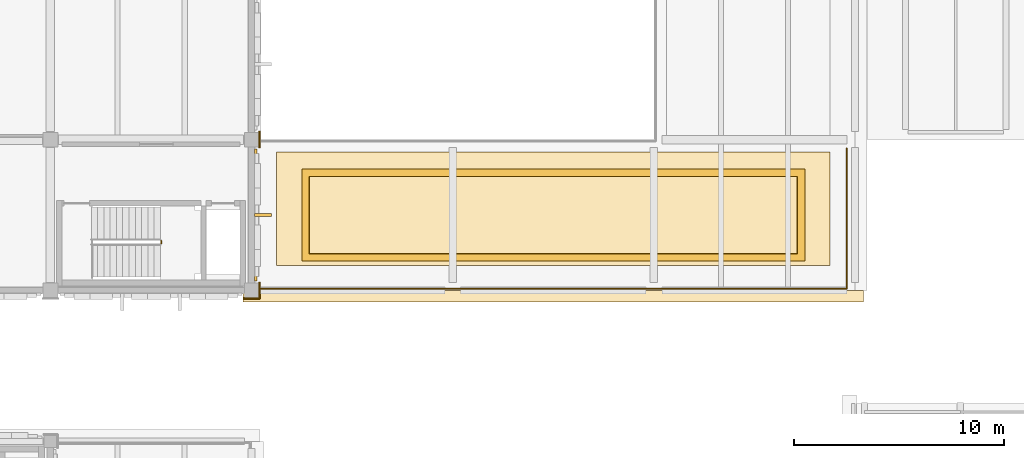
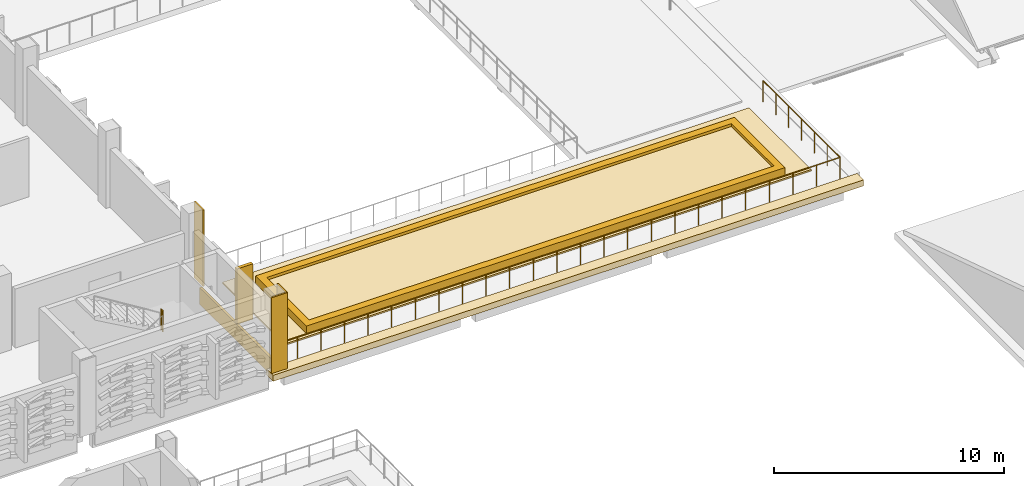
# One storey, part 127 of 134: 9 coverings, 2 railings.
"""IFC4 building model written with IfcOpenShell, lengths in metres."""

import ifcopenshell
import ifcopenshell.guid

model = None  # the IFC model being written
_history = None  # IfcOwnerHistory: only IFC2X3 demands one
_inside = {}  # id of a spatial element -> (the spatial element, [elements in it])
_under = {}  # id of a project, library or spatial element -> (it, [spatial elements below it])
_declared = {}  # id of a project -> (the project, [libraries it declares])
_typed = {}  # id of a type object -> (the type object, [elements of that type])
_made_of = {}  # id of a material, layer set ... -> (it, [elements and type objects made of it])


def new_model(schema):
    """Start an empty IFC model of exactly this schema.

    Asked for "IFC4X3", IfcOpenShell would pick the latest addendum, in which some entities
    have other attributes; the version numbers below select the first issue.
    IFC2X3 requires an IfcOwnerHistory on every rooted entity: one is made here for all.
    """
    global model, _history
    if schema == "IFC4X3":
        model = ifcopenshell.file(schema_version=(4, 3, 0, 0))
    else:
        model = ifcopenshell.file(schema=schema)
    _inside.clear()
    _under.clear()
    _declared.clear()
    _typed.clear()
    _made_of.clear()
    _history = None
    if model.schema == "IFC2X3":
        org = make("IfcOrganization", Name="unknown")
        user = make(
            "IfcPersonAndOrganization",
            ThePerson=make("IfcPerson", FamilyName="unknown"),
            TheOrganization=org,
        )
        app = make(
            "IfcApplication",
            ApplicationDeveloper=org,
            Version="unknown",
            ApplicationFullName="unknown",
            ApplicationIdentifier="unknown",
        )
        _history = make(
            "IfcOwnerHistory",
            OwningUser=user,
            OwningApplication=app,
            ChangeAction="ADDED",
            CreationDate=0,
        )
    return model


def make(cls, **values):
    """One entity of the class cls with the attributes given. An attribute that is None is left unset."""
    return model.create_entity(
        cls, **{name: value for name, value in values.items() if value is not None}
    )


def rooted(cls, **values):
    """An entity with a GlobalId (a new one), such as an element, a storey or a relation."""
    return make(cls, GlobalId=ifcopenshell.guid.new(), OwnerHistory=_history, **values)


def si_unit(unit_type, name, prefix=None):
    """IfcSIUnit, for example si_unit("LENGTHUNIT", "METRE", prefix="MILLI")."""
    return make("IfcSIUnit", UnitType=unit_type, Prefix=prefix, Name=name)


def assignment(units):
    """IfcUnitAssignment: the units of a project."""
    return None if units is None else make("IfcUnitAssignment", Units=units)


def point(xyz):
    """IfcCartesianPoint."""
    return None if xyz is None else make("IfcCartesianPoint", Coordinates=xyz)


def direction(xyz):
    """IfcDirection."""
    return None if xyz is None else make("IfcDirection", DirectionRatios=xyz)


def frame(location, z_axis=None, x_axis=None):
    """IfcAxis2Placement3D, a coordinate frame: its origin and axes. An axis left out is left unset."""
    return make(
        "IfcAxis2Placement3D",
        Location=point(location),
        Axis=direction(z_axis),
        RefDirection=direction(x_axis),
    )


def frame_2d(location, x_axis=None):
    """IfcAxis2Placement2D, a coordinate frame in the plane: its origin and x axis."""
    return make(
        "IfcAxis2Placement2D", Location=point(location), RefDirection=direction(x_axis)
    )


def origin():
    """The frame at (0, 0, 0) with its axes left unset."""
    return frame((0.0, 0.0, 0.0))


def origin_2d():
    """The frame at (0, 0) in the plane with its x axis left unset."""
    return frame_2d((0.0, 0.0))


def place(relative_to, where):
    """IfcLocalPlacement: puts the frame where relative to a parent placement (None: the world)."""
    return make(
        "IfcLocalPlacement", PlacementRelTo=relative_to, RelativePlacement=where
    )


def context(
    kind, dimensions, precision=None, world=None, true_north=None, identifier=None
):
    """IfcGeometricRepresentationContext, for example the 3D "Model" context."""
    return make(
        "IfcGeometricRepresentationContext",
        ContextIdentifier=identifier,
        ContextType=kind,
        CoordinateSpaceDimension=dimensions,
        Precision=precision,
        WorldCoordinateSystem=world,
        TrueNorth=true_north,
    )


def subcontext(parent, identifier, kind, view, scale=None):
    """IfcGeometricRepresentationSubContext, for example "Body" below "Model"."""
    return make(
        "IfcGeometricRepresentationSubContext",
        ContextIdentifier=identifier,
        ContextType=kind,
        ParentContext=parent,
        TargetScale=scale,
        TargetView=view,
    )


def project(units=None, contexts=None):
    """IfcProject with its units and contexts."""
    return rooted(
        "IfcProject",
        Name="project",
        RepresentationContexts=contexts,
        UnitsInContext=assignment(units),
    )


def spatial(cls, under=None, at=None, **own):
    """A site, building, storey or space (cls), placed at a placement, below another one or the project."""
    s = rooted(cls, ObjectPlacement=at, **own)
    if under is not None:
        _under.setdefault(under.id(), (under, []))[1].append(s)
    return s


def polyline(points):
    """IfcPolyline through the points."""
    return make("IfcPolyline", Points=[point(p) for p in points])


def profile(cls, at=None, kind="AREA", **sizes):
    """A parametric profile (cls). Its sizes go by their IFC names, for example OverallWidth=200.0."""
    return make(cls, ProfileType=kind, Position=at, **sizes)


def rectangle(**sizes):
    """IfcRectangleProfileDef."""
    return profile("IfcRectangleProfileDef", **sizes)


def circle(**sizes):
    """IfcCircleProfileDef."""
    return profile("IfcCircleProfileDef", **sizes)


def outline(outer, holes=None, kind="AREA"):
    """IfcArbitraryClosedProfileDef: a profile drawn as a closed curve; with holes, ...WithVoids."""
    if holes is None:
        return make("IfcArbitraryClosedProfileDef", ProfileType=kind, OuterCurve=outer)
    return make(
        "IfcArbitraryProfileDefWithVoids",
        ProfileType=kind,
        OuterCurve=outer,
        InnerCurves=holes,
    )


def extrude(swept, where, along, depth):
    """IfcExtrudedAreaSolid: the profile swept, set in the frame where, extruded along a direction by depth."""
    return make(
        "IfcExtrudedAreaSolid",
        SweptArea=swept,
        Position=where,
        ExtrudedDirection=direction(along),
        Depth=depth,
    )


def shape(context_of_items, identifier, shape_type, items):
    """IfcShapeRepresentation: the items that make up one representation, for example the "Body"."""
    return make(
        "IfcShapeRepresentation",
        ContextOfItems=context_of_items,
        RepresentationIdentifier=identifier,
        RepresentationType=shape_type,
        Items=items,
    )


def material(Name=None, Category=None):
    """IfcMaterial."""
    return make("IfcMaterial", Name=Name, Category=Category)


def layer(
    of_material, thickness, ventilated=None, Name=None, Category=None, Priority=None
):
    """IfcMaterialLayer: one layer of a wall or slab, of a material (None: an air gap)."""
    return make(
        "IfcMaterialLayer",
        Material=of_material,
        LayerThickness=thickness,
        IsVentilated=ventilated,
        Name=Name,
        Category=Category,
        Priority=Priority,
    )


def layer_set(layers, Name=None):
    """IfcMaterialLayerSet."""
    return make("IfcMaterialLayerSet", MaterialLayers=layers, LayerSetName=Name)


def made_of(thing, what):
    """Note that an element or type object is made of a material, layer set ...; save() writes the relation."""
    if what is not None:
        _made_of.setdefault(what.id(), (what, []))[1].append(thing)
    return thing


def type_object(cls, material=None, **own):
    """A type object (cls), such as IfcWallType, which elements share."""
    return made_of(rooted(cls, **own), material)


def element(
    cls,
    number,
    at=None,
    inside=None,
    cuts=None,
    type_object=None,
    material=None,
    context=None,
    identifier="Body",
    shape_type=None,
    held_by="IfcProductDefinitionShape",
    body=None,
    shapes=None,
    **own,
):
    """One element of the class cls, such as IfcWall. Its Tag is "e" and its number.

    at: its placement. inside: the storey or other place that contains it. cuts: it is an
    opening in that element (IfcRelVoidsElement). A single representation is given by context,
    identifier, shape_type and body (its items); several are given by shapes. held_by: the class
    of the entity that holds the representations. save() writes the other relations.
    """
    e = rooted(cls, Tag="e%d" % number, ObjectPlacement=at, **own)
    if body is not None:
        shapes = [shape(context, identifier, shape_type, body)]
    if shapes is not None:
        e.Representation = make(held_by, Representations=shapes)
    if inside is not None:
        _inside.setdefault(inside.id(), (inside, []))[1].append(e)
    if cuts is not None:
        rooted(
            "IfcRelVoidsElement", RelatingBuildingElement=cuts, RelatedOpeningElement=e
        )
    if type_object is not None:
        _typed.setdefault(type_object.id(), (type_object, []))[1].append(e)
    return made_of(e, material)


def aggregate(whole, parts):
    """IfcRelAggregates: a whole, such as a stair, and the parts it consists of."""
    return rooted("IfcRelAggregates", RelatingObject=whole, RelatedObjects=parts)


def save(model, path):
    """Write the relations noted so far, then the file.

    IfcRelAggregates (storeys below a building ...), IfcRelContainedInSpatialStructure (elements
    in a storey), IfcRelDefinesByType, IfcRelAssociatesMaterial and IfcRelDeclares: one each for
    every whole, place, type object, material and project.
    """
    for whole, parts in _under.values():
        aggregate(whole, parts)
    for where, things in _inside.values():
        rooted(
            "IfcRelContainedInSpatialStructure",
            RelatedElements=things,
            RelatingStructure=where,
        )
    for kind, things in _typed.values():
        rooted("IfcRelDefinesByType", RelatedObjects=things, RelatingType=kind)
    for what, things in _made_of.values():
        rooted("IfcRelAssociatesMaterial", RelatedObjects=things, RelatingMaterial=what)
    for by, libraries in _declared.values():
        rooted("IfcRelDeclares", RelatingContext=by, RelatedDefinitions=libraries)
    model.write(path)


model = new_model("IFC4")

# Units and contexts
model_context = context("Model", 3, precision=1e-05, world=origin(), true_north=direction((0.0, 1.0)))
body_context = subcontext(model_context, "Body", "Model", "MODEL_VIEW")
ifc_project = project(units=[si_unit("LENGTHUNIT", "METRE"), si_unit("AREAUNIT", "SQUARE_METRE"), si_unit("VOLUMEUNIT", "CUBIC_METRE"), si_unit("PLANEANGLEUNIT", "RADIAN"), si_unit("MASSUNIT", "GRAM", prefix="KILO")], contexts=[model_context])

# Site, building, storey
site_placement = place(None, origin())
site = spatial("IfcSite", under=ifc_project, at=site_placement, CompositionType="ELEMENT")
building_placement = place(site_placement, origin())
building = spatial("IfcBuilding", under=site, at=building_placement, Name="Asteropetra Specialist Clinic", CompositionType="ELEMENT")
storey_placement = place(building_placement, frame((0.0, 0.0, 8.5)))
storey = spatial("IfcBuildingStorey", under=building, at=storey_placement, Name="L02", CompositionType="ELEMENT", Elevation=8.5)

# Railing
ifc_material_1 = material(Name="Pentelic marble and bronze balustrade", Category="masonry")
railing_type_1 = type_object("IfcRailingType", Name="BAL-STONE-1150", PredefinedType="BALUSTRADE", material=ifc_material_1)
railing_1_placement = place(storey_placement, frame((48.0, 69.679931640625, 0.0)))
element("IfcRailing", 1, at=railing_1_placement, inside=storey, type_object=railing_type_1, Name="Perimeter Guard BAL-V4-L02E-S", PredefinedType="BALUSTRADE", context=body_context, shape_type="SweptSolid", body=[
    extrude(circle(Radius=0.02392578125, at=origin_2d()), frame((0.0, 0.0, 1.1259765625), z_axis=(1.0, 0.0, 0.0), x_axis=(0.0, 1.0, 0.0)), (0.0, 0.0, 1.0), 28.39990234375),
    extrude(circle(Radius=0.02392578125, at=origin_2d()), frame((28.39990234375, 0.0, 1.1259765625), z_axis=(0.0, 1.0, 0.0), x_axis=(-1.0, 0.0, 0.0)), (0.0, 0.0, 1.0), 6.699951171875),
    extrude(circle(Radius=0.02099609375, at=origin_2d()), origin(), (0.0, 0.0, 1.0), 1.101806640625),
    extrude(circle(Radius=0.02099609375, at=origin_2d()), frame((1.183349609375, 0.0, 0.0)), (0.0, 0.0, 1.0), 1.101806640625),
    extrude(circle(Radius=0.02099609375, at=origin_2d()), frame((2.36669921875, 0.0, 0.0)), (0.0, 0.0, 1.0), 1.101806640625),
    extrude(circle(Radius=0.02099609375, at=origin_2d()), frame((3.550048828125, 0.0, 0.0)), (0.0, 0.0, 1.0), 1.101806640625),
    extrude(circle(Radius=0.02099609375, at=origin_2d()), frame((4.7333984375, 0.0, 0.0)), (0.0, 0.0, 1.0), 1.101806640625),
    extrude(circle(Radius=0.02099609375, at=origin_2d()), frame((5.916748046875, 0.0, 0.0)), (0.0, 0.0, 1.0), 1.101806640625),
    extrude(circle(Radius=0.02099609375, at=origin_2d()), frame((7.10009765625, 0.0, 0.0)), (0.0, 0.0, 1.0), 1.101806640625),
    extrude(circle(Radius=0.02099609375, at=origin_2d()), frame((8.283203125, 0.0, 0.0)), (0.0, 0.0, 1.0), 1.101806640625),
    extrude(circle(Radius=0.02099609375, at=origin_2d()), frame((9.466552734375, 0.0, 0.0)), (0.0, 0.0, 1.0), 1.101806640625),
    extrude(circle(Radius=0.02099609375, at=origin_2d()), frame((10.64990234375, 0.0, 0.0)), (0.0, 0.0, 1.0), 1.101806640625),
    extrude(circle(Radius=0.02099609375, at=origin_2d()), frame((11.833251953125, 0.0, 0.0)), (0.0, 0.0, 1.0), 1.101806640625),
    extrude(circle(Radius=0.02099609375, at=origin_2d()), frame((13.0166015625, 0.0, 0.0)), (0.0, 0.0, 1.0), 1.101806640625),
    extrude(circle(Radius=0.02099609375, at=origin_2d()), frame((14.199951171875, 0.0, 0.0)), (0.0, 0.0, 1.0), 1.101806640625),
    extrude(circle(Radius=0.02099609375, at=origin_2d()), frame((15.38330078125, 0.0, 0.0)), (0.0, 0.0, 1.0), 1.101806640625),
    extrude(circle(Radius=0.02099609375, at=origin_2d()), frame((16.566650390625, 0.0, 0.0)), (0.0, 0.0, 1.0), 1.101806640625),
    extrude(circle(Radius=0.02099609375, at=origin_2d()), frame((17.75, 0.0, 0.0)), (0.0, 0.0, 1.0), 1.101806640625),
    extrude(circle(Radius=0.02099609375, at=origin_2d()), frame((18.933349609375, 0.0, 0.0)), (0.0, 0.0, 1.0), 1.101806640625),
    extrude(circle(Radius=0.02099609375, at=origin_2d()), frame((20.11669921875, 0.0, 0.0)), (0.0, 0.0, 1.0), 1.101806640625),
    extrude(circle(Radius=0.02099609375, at=origin_2d()), frame((21.2998046875, 0.0, 0.0)), (0.0, 0.0, 1.0), 1.101806640625),
    extrude(circle(Radius=0.02099609375, at=origin_2d()), frame((22.483154296875, 0.0, 0.0)), (0.0, 0.0, 1.0), 1.101806640625),
    extrude(circle(Radius=0.02099609375, at=origin_2d()), frame((23.66650390625, 0.0, 0.0)), (0.0, 0.0, 1.0), 1.101806640625),
    extrude(circle(Radius=0.02099609375, at=origin_2d()), frame((24.849853515625, 0.0, 0.0)), (0.0, 0.0, 1.0), 1.101806640625),
    extrude(circle(Radius=0.02099609375, at=origin_2d()), frame((26.033203125, 0.0, 0.0)), (0.0, 0.0, 1.0), 1.101806640625),
    extrude(circle(Radius=0.02099609375, at=origin_2d()), frame((27.216552734375, 0.0, 0.0)), (0.0, 0.0, 1.0), 1.101806640625),
    extrude(circle(Radius=0.02099609375, at=origin_2d()), frame((28.39990234375, 0.0, 0.0)), (0.0, 0.0, 1.0), 1.101806640625),
    extrude(circle(Radius=0.02099609375, at=origin_2d()), frame((28.39990234375, 1.11669921875, 0.0)), (0.0, 0.0, 1.0), 1.101806640625),
    extrude(circle(Radius=0.02099609375, at=origin_2d()), frame((28.39990234375, 2.2333984375, 0.0)), (0.0, 0.0, 1.0), 1.101806640625),
    extrude(circle(Radius=0.02099609375, at=origin_2d()), frame((28.39990234375, 3.35009765625, 0.0)), (0.0, 0.0, 1.0), 1.101806640625),
    extrude(circle(Radius=0.02099609375, at=origin_2d()), frame((28.39990234375, 4.466552734375, 0.0)), (0.0, 0.0, 1.0), 1.101806640625),
    extrude(circle(Radius=0.02099609375, at=origin_2d()), frame((28.39990234375, 5.583251953125, 0.0)), (0.0, 0.0, 1.0), 1.101806640625),
    extrude(circle(Radius=0.02099609375, at=origin_2d()), frame((28.39990234375, 6.699951171875, 0.0)), (0.0, 0.0, 1.0), 1.101806640625),
])

# Coverings
ifc_material_2 = material(Name="Chevron terracotta mid", Category="masonry")
ifc_layer_1 = layer(ifc_material_2, 0.1201171875)
ifc_layer_set_1 = layer_set([ifc_layer_1], Name="Chevron terracotta mid")
covering_type_1 = type_object("IfcCoveringType", Name="CLD-TER-MID", PredefinedType="CLADDING", material=ifc_layer_set_1)
covering_1_placement = place(storey_placement, frame((48.18994140625, 73.199951171875, -0.800048828125), z_axis=(0.0, 0.0, 1.0), x_axis=(1.0, 0.0, 0.0)))
element("IfcCovering", 2, at=covering_1_placement, inside=storey, type_object=covering_type_1, Name="Chevron Spandrel Band CV-1433", PredefinedType="CLADDING", context=body_context, shape_type="SweptSolid", body=[
    extrude(rectangle(XDim=0.1201171875, YDim=6.300048828125, at=origin_2d()), origin(), (0.0, 0.0, 1.0), 0.8798828125),
])
ifc_material_3 = material(Name="Pentelic marble ashlar", Category="masonry")
ifc_layer_2 = layer(ifc_material_3, 0.159912109375)
ifc_layer_set_2 = layer_set([ifc_layer_2], Name="Pentelic marble ashlar")
covering_type_2 = type_object("IfcCoveringType", Name="CRN-ENTAB-600", PredefinedType="MOLDING", material=ifc_layer_set_2)
covering_2_placement = place(storey_placement, frame((48.0, 69.218017578125, 0.02001953125), z_axis=(0.0, 0.0, 1.0), x_axis=(1.0, 0.0, 0.0)))
element("IfcCovering", 3, at=covering_2_placement, inside=storey, type_object=covering_type_2, Name="Neoclassical Pilaster Facing CM-0666", PredefinedType="MOLDING", context=body_context, shape_type="SweptSolid", body=[
    extrude(rectangle(XDim=0.780029296875, YDim=0.080078125, at=origin_2d()), origin(), (0.0, 0.0, 1.0), 4.0400390625),
])
for number, where, z_axis, x_axis, name in (
    (4, (48.382080078125, 69.60009765625, 0.02001953125), (0.0, 0.0, 1.0), (1.0, 0.0, 0.0), "Neoclassical Pilaster Facing CM-0667"),
    (5, (48.382080078125, 76.800048828125, 0.02001953125), (0.0, 0.0, 1.0), (1.0, 0.0, 0.0), "Neoclassical Pilaster Facing CM-0668"),
):
    element("IfcCovering", number, at=place(storey_placement, frame(where, z_axis=z_axis, x_axis=x_axis)), inside=storey, type_object=covering_type_2, Name=name, PredefinedType="MOLDING", context=body_context, shape_type="SweptSolid", body=[
        extrude(rectangle(XDim=0.080078125, YDim=0.780029296875, at=origin_2d()), origin(), (0.0, 0.0, 1.0), 4.0400390625),
    ])
covering_3_placement = place(storey_placement, frame((62.39990234375, 69.320068359375, -0.2802734375), z_axis=(0.0, 0.0, 1.0), x_axis=(1.0, 0.0, 0.0)))
element("IfcCovering", 6, at=covering_3_placement, inside=storey, type_object=covering_type_2, Name="Classical Entablature Cornice EC-017", PredefinedType="MOLDING", context=body_context, shape_type="SweptSolid", body=[
    extrude(rectangle(XDim=29.60009765625, YDim=0.56005859375, at=origin_2d()), origin(), (0.0, 0.0, 1.0), 0.320068359375),
])
covering_4_placement = place(storey_placement, origin())
element("IfcCovering", 7, at=covering_4_placement, inside=storey, type_object=covering_type_2, Name="Planted Terrace Planter Curb PTB-V4-01C", PredefinedType="MOLDING", context=body_context, shape_type="SweptSolid", body=[
    extrude(outline(polyline([(50.39990234375, 71.0), (74.39990234375, 71.0), (74.39990234375, 75.39990234375), (50.39990234375, 75.39990234375), (50.39990234375, 71.0)]), holes=[polyline([(50.75, 71.35009765625), (74.050048828125, 71.35009765625), (74.050048828125, 75.050048828125), (50.75, 75.050048828125), (50.75, 71.35009765625)])]), origin(), (0.0, 0.0, 1.0), 0.47998046875),
])
ifc_material_4 = material(Name="Pentelic marble solar fin", Category="masonry")
ifc_layer_3 = layer(ifc_material_4, 0.080078125)
ifc_layer_set_3 = layer_set([ifc_layer_3], Name="Pentelic marble solar fin")
covering_type_3 = type_object("IfcCoveringType", Name="FIN-SOLAR-800", PredefinedType="MOLDING", material=ifc_layer_set_3)
covering_5_placement = place(storey_placement, frame((48.544921875, 73.199951171875, 0.070068359375), z_axis=(0.0, 0.0, 1.0), x_axis=(1.0, 0.0, 0.0)))
element("IfcCovering", 8, at=covering_5_placement, inside=storey, type_object=covering_type_3, Name="Solar Shading Fin FN-0069", PredefinedType="MOLDING", context=body_context, shape_type="SweptSolid", body=[
    extrude(rectangle(XDim=0.800048828125, YDim=0.159912109375, at=origin_2d()), origin(), (0.0, 0.0, 1.0), 2.93994140625),
])

# Railing
ifc_material_5 = material(Name="Steel S355 and laminated glass guard", Category="steel")
railing_type_2 = type_object("IfcRailingType", Name="GRD-INT-1120", PredefinedType="GUARDRAIL", material=ifc_material_5)
railing_2_placement = place(storey_placement, frame((43.679931640625, 71.840087890625, 2.0400390625)))
element("IfcRailing", 9, at=railing_2_placement, inside=storey, type_object=railing_type_2, Name="Landing Slot Guard ST03-L02", PredefinedType="GUARDRAIL", context=body_context, shape_type="SweptSolid", body=[
    extrude(circle(Radius=0.02392578125, at=origin_2d()), frame((0.0, 0.0, 1.09619140625), z_axis=(0.0, 1.0, 0.0), x_axis=(-1.0, 0.0, 0.0)), (0.0, 0.0, 1.0), 0.139892578125),
    extrude(circle(Radius=0.02099609375, at=origin_2d()), origin(), (0.0, 0.0, 1.0), 1.072021484375),
    extrude(circle(Radius=0.02099609375, at=origin_2d()), frame((0.0, 0.139892578125, 0.0)), (0.0, 0.0, 1.0), 1.072021484375),
])

# Coverings
ifc_material_6 = material(Name="Planted roof growing medium")
ifc_layer_4 = layer(ifc_material_6, 0.080078125)
ifc_layer_set_4 = layer_set([ifc_layer_4], Name="Planted roof growing medium")
covering_type_4 = type_object("IfcCoveringType", Name="RFG-GREEN-V2", PredefinedType="ROOFING", material=ifc_layer_set_4)
covering_6_placement = place(storey_placement, origin())
element("IfcCovering", 10, at=covering_6_placement, inside=storey, type_object=covering_type_4, Name="Roof Covering RFG-V4-GARDEN1", PredefinedType="ROOFING", context=body_context, shape_type="SweptSolid", body=[
    extrude(outline(polyline([(49.199951171875, 70.800048828125), (75.60009765625, 70.800048828125), (75.60009765625, 76.199951171875), (49.199951171875, 76.199951171875), (49.199951171875, 70.800048828125)])), origin(), (0.0, 0.0, 1.0), 0.080078125),
])
covering_7_placement = place(storey_placement, origin())
element("IfcCovering", 11, at=covering_7_placement, inside=storey, type_object=covering_type_4, Name="Planted Terrace Greenery Bed PTB-V4-01G", PredefinedType="ROOFING", context=body_context, shape_type="SweptSolid", body=[
    extrude(outline(polyline([(50.760009765625, 71.360107421875), (74.0400390625, 71.360107421875), (74.0400390625, 75.0400390625), (50.760009765625, 75.0400390625), (50.760009765625, 71.360107421875)])), origin(), (0.0, 0.0, 1.0), 0.340087890625),
])

save(model, "model.ifc")
